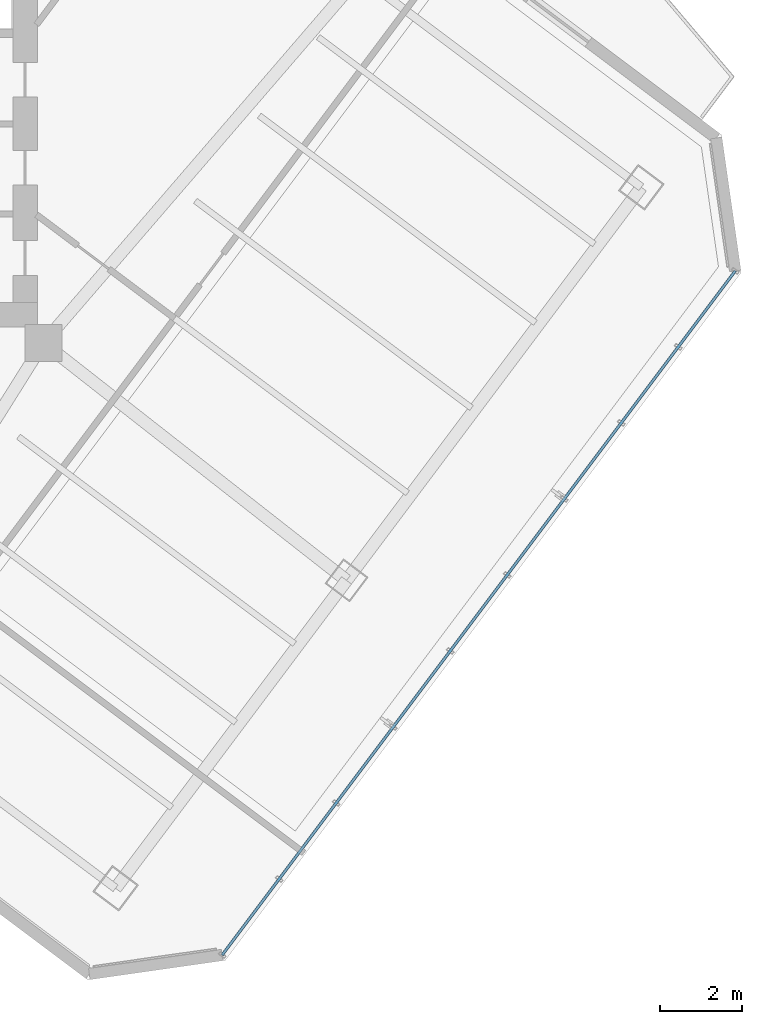
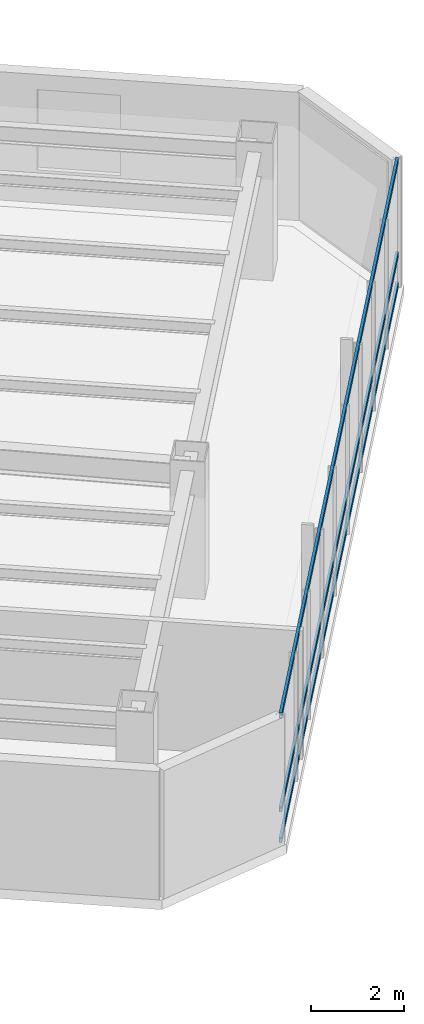
# One storey, part 12 of 28: 3 members, 1 element without a shape of its own.
"""IFC4 building model written with IfcOpenShell, lengths in metres."""

import ifcopenshell
import ifcopenshell.guid

model = None  # the IFC model being written
_history = None  # IfcOwnerHistory: only IFC2X3 demands one
_inside = {}  # id of a spatial element -> (the spatial element, [elements in it])
_under = {}  # id of a project, library or spatial element -> (it, [spatial elements below it])
_declared = {}  # id of a project -> (the project, [libraries it declares])
_typed = {}  # id of a type object -> (the type object, [elements of that type])
_made_of = {}  # id of a material, layer set ... -> (it, [elements and type objects made of it])


def new_model(schema):
    """Start an empty IFC model of exactly this schema.

    Asked for "IFC4X3", IfcOpenShell would pick the latest addendum, in which some entities
    have other attributes; the version numbers below select the first issue.
    IFC2X3 requires an IfcOwnerHistory on every rooted entity: one is made here for all.
    """
    global model, _history
    if schema == "IFC4X3":
        model = ifcopenshell.file(schema_version=(4, 3, 0, 0))
    else:
        model = ifcopenshell.file(schema=schema)
    _inside.clear()
    _under.clear()
    _declared.clear()
    _typed.clear()
    _made_of.clear()
    _history = None
    if model.schema == "IFC2X3":
        org = make("IfcOrganization", Name="unknown")
        user = make(
            "IfcPersonAndOrganization",
            ThePerson=make("IfcPerson", FamilyName="unknown"),
            TheOrganization=org,
        )
        app = make(
            "IfcApplication",
            ApplicationDeveloper=org,
            Version="unknown",
            ApplicationFullName="unknown",
            ApplicationIdentifier="unknown",
        )
        _history = make(
            "IfcOwnerHistory",
            OwningUser=user,
            OwningApplication=app,
            ChangeAction="ADDED",
            CreationDate=0,
        )
    return model


def make(cls, **values):
    """One entity of the class cls with the attributes given. An attribute that is None is left unset."""
    return model.create_entity(
        cls, **{name: value for name, value in values.items() if value is not None}
    )


def rooted(cls, **values):
    """An entity with a GlobalId (a new one), such as an element, a storey or a relation."""
    return make(cls, GlobalId=ifcopenshell.guid.new(), OwnerHistory=_history, **values)


def si_unit(unit_type, name, prefix=None):
    """IfcSIUnit, for example si_unit("LENGTHUNIT", "METRE", prefix="MILLI")."""
    return make("IfcSIUnit", UnitType=unit_type, Prefix=prefix, Name=name)


def assignment(units):
    """IfcUnitAssignment: the units of a project."""
    return None if units is None else make("IfcUnitAssignment", Units=units)


def point(xyz):
    """IfcCartesianPoint."""
    return None if xyz is None else make("IfcCartesianPoint", Coordinates=xyz)


def direction(xyz):
    """IfcDirection."""
    return None if xyz is None else make("IfcDirection", DirectionRatios=xyz)


def frame(location, z_axis=None, x_axis=None):
    """IfcAxis2Placement3D, a coordinate frame: its origin and axes. An axis left out is left unset."""
    return make(
        "IfcAxis2Placement3D",
        Location=point(location),
        Axis=direction(z_axis),
        RefDirection=direction(x_axis),
    )


def frame_2d(location, x_axis=None):
    """IfcAxis2Placement2D, a coordinate frame in the plane: its origin and x axis."""
    return make(
        "IfcAxis2Placement2D", Location=point(location), RefDirection=direction(x_axis)
    )


def origin():
    """The frame at (0, 0, 0) with its axes left unset."""
    return frame((0.0, 0.0, 0.0))


def origin_2d():
    """The frame at (0, 0) in the plane with its x axis left unset."""
    return frame_2d((0.0, 0.0))


def place(relative_to, where):
    """IfcLocalPlacement: puts the frame where relative to a parent placement (None: the world)."""
    return make(
        "IfcLocalPlacement", PlacementRelTo=relative_to, RelativePlacement=where
    )


def context(
    kind, dimensions, precision=None, world=None, true_north=None, identifier=None
):
    """IfcGeometricRepresentationContext, for example the 3D "Model" context."""
    return make(
        "IfcGeometricRepresentationContext",
        ContextIdentifier=identifier,
        ContextType=kind,
        CoordinateSpaceDimension=dimensions,
        Precision=precision,
        WorldCoordinateSystem=world,
        TrueNorth=true_north,
    )


def subcontext(parent, identifier, kind, view, scale=None):
    """IfcGeometricRepresentationSubContext, for example "Body" below "Model"."""
    return make(
        "IfcGeometricRepresentationSubContext",
        ContextIdentifier=identifier,
        ContextType=kind,
        ParentContext=parent,
        TargetScale=scale,
        TargetView=view,
    )


def project(units=None, contexts=None):
    """IfcProject with its units and contexts."""
    return rooted(
        "IfcProject",
        Name="project",
        RepresentationContexts=contexts,
        UnitsInContext=assignment(units),
    )


def spatial(cls, under=None, at=None, **own):
    """A site, building, storey or space (cls), placed at a placement, below another one or the project."""
    s = rooted(cls, ObjectPlacement=at, **own)
    if under is not None:
        _under.setdefault(under.id(), (under, []))[1].append(s)
    return s


def profile(cls, at=None, kind="AREA", **sizes):
    """A parametric profile (cls). Its sizes go by their IFC names, for example OverallWidth=200.0."""
    return make(cls, ProfileType=kind, Position=at, **sizes)


def hollow_rectangle(**sizes):
    """IfcRectangleHollowProfileDef."""
    return profile("IfcRectangleHollowProfileDef", **sizes)


def extrude(swept, where, along, depth):
    """IfcExtrudedAreaSolid: the profile swept, set in the frame where, extruded along a direction by depth."""
    return make(
        "IfcExtrudedAreaSolid",
        SweptArea=swept,
        Position=where,
        ExtrudedDirection=direction(along),
        Depth=depth,
    )


def shape(context_of_items, identifier, shape_type, items):
    """IfcShapeRepresentation: the items that make up one representation, for example the "Body"."""
    return make(
        "IfcShapeRepresentation",
        ContextOfItems=context_of_items,
        RepresentationIdentifier=identifier,
        RepresentationType=shape_type,
        Items=items,
    )


def material(Name=None, Category=None):
    """IfcMaterial."""
    return make("IfcMaterial", Name=Name, Category=Category)


def layer(
    of_material, thickness, ventilated=None, Name=None, Category=None, Priority=None
):
    """IfcMaterialLayer: one layer of a wall or slab, of a material (None: an air gap)."""
    return make(
        "IfcMaterialLayer",
        Material=of_material,
        LayerThickness=thickness,
        IsVentilated=ventilated,
        Name=Name,
        Category=Category,
        Priority=Priority,
    )


def layer_set(layers, Name=None):
    """IfcMaterialLayerSet."""
    return make("IfcMaterialLayerSet", MaterialLayers=layers, LayerSetName=Name)


def material_profile(
    of_material, cross_section, Name=None, Category=None, Priority=None
):
    """IfcMaterialProfile: a cross section and its material."""
    return make(
        "IfcMaterialProfile",
        Name=Name,
        Material=of_material,
        Profile=cross_section,
        Priority=Priority,
        Category=Category,
    )


def profile_set(profiles, Name=None, composite=None):
    """IfcMaterialProfileSet."""
    return make(
        "IfcMaterialProfileSet",
        Name=Name,
        MaterialProfiles=profiles,
        CompositeProfile=composite,
    )


def made_of(thing, what):
    """Note that an element or type object is made of a material, layer set ...; save() writes the relation."""
    if what is not None:
        _made_of.setdefault(what.id(), (what, []))[1].append(thing)
    return thing


def type_object(cls, material=None, **own):
    """A type object (cls), such as IfcWallType, which elements share."""
    return made_of(rooted(cls, **own), material)


def element(
    cls,
    number,
    at=None,
    inside=None,
    cuts=None,
    type_object=None,
    material=None,
    context=None,
    identifier="Body",
    shape_type=None,
    held_by="IfcProductDefinitionShape",
    body=None,
    shapes=None,
    **own,
):
    """One element of the class cls, such as IfcWall. Its Tag is "e" and its number.

    at: its placement. inside: the storey or other place that contains it. cuts: it is an
    opening in that element (IfcRelVoidsElement). A single representation is given by context,
    identifier, shape_type and body (its items); several are given by shapes. held_by: the class
    of the entity that holds the representations. save() writes the other relations.
    """
    e = rooted(cls, Tag="e%d" % number, ObjectPlacement=at, **own)
    if body is not None:
        shapes = [shape(context, identifier, shape_type, body)]
    if shapes is not None:
        e.Representation = make(held_by, Representations=shapes)
    if inside is not None:
        _inside.setdefault(inside.id(), (inside, []))[1].append(e)
    if cuts is not None:
        rooted(
            "IfcRelVoidsElement", RelatingBuildingElement=cuts, RelatedOpeningElement=e
        )
    if type_object is not None:
        _typed.setdefault(type_object.id(), (type_object, []))[1].append(e)
    return made_of(e, material)


def aggregate(whole, parts):
    """IfcRelAggregates: a whole, such as a stair, and the parts it consists of."""
    return rooted("IfcRelAggregates", RelatingObject=whole, RelatedObjects=parts)


def save(model, path):
    """Write the relations noted so far, then the file.

    IfcRelAggregates (storeys below a building ...), IfcRelContainedInSpatialStructure (elements
    in a storey), IfcRelDefinesByType, IfcRelAssociatesMaterial and IfcRelDeclares: one each for
    every whole, place, type object, material and project.
    """
    for whole, parts in _under.values():
        aggregate(whole, parts)
    for where, things in _inside.values():
        rooted(
            "IfcRelContainedInSpatialStructure",
            RelatedElements=things,
            RelatingStructure=where,
        )
    for kind, things in _typed.values():
        rooted("IfcRelDefinesByType", RelatedObjects=things, RelatingType=kind)
    for what, things in _made_of.values():
        rooted("IfcRelAssociatesMaterial", RelatedObjects=things, RelatingMaterial=what)
    for by, libraries in _declared.values():
        rooted("IfcRelDeclares", RelatingContext=by, RelatedDefinitions=libraries)
    model.write(path)


model = new_model("IFC4")

# Units and contexts
model_context = context("Model", 3, precision=1e-05, world=origin(), true_north=direction((0.0, 1.0)))
body_context = subcontext(model_context, "Body", "Model", "MODEL_VIEW")
ifc_project = project(units=[si_unit("LENGTHUNIT", "METRE"), si_unit("AREAUNIT", "SQUARE_METRE"), si_unit("VOLUMEUNIT", "CUBIC_METRE"), si_unit("PLANEANGLEUNIT", "RADIAN"), si_unit("MASSUNIT", "GRAM", prefix="KILO")], contexts=[model_context])

# Site, building, storey
site_placement = place(None, origin())
site = spatial("IfcSite", under=ifc_project, at=site_placement, CompositionType="ELEMENT")
building_placement = place(site_placement, origin())
building = spatial("IfcBuilding", under=site, at=building_placement, Name="Hatsunagi Terrace Concourse", CompositionType="ELEMENT")
storey_placement = place(building_placement, frame((0.0, 0.0, 170.85009765625)))
storey = spatial("IfcBuildingStorey", under=building, at=storey_placement, Name="L45", CompositionType="ELEMENT", Elevation=170.85009765625)

# Curtain wall, members
ifc_material_1 = material(Name="Anodised Aluminium Alloy 6063-T5", Category="aluminium")
ifc_layer = layer(ifc_material_1, 0.199951171875)
ifc_layer_set = layer_set([ifc_layer], Name="OfficeZone1_CW03")
curtain_wall_type = type_object("IfcCurtainWallType", Name="OfficeZone1_CW03", PredefinedType="NOTDEFINED", material=ifc_layer_set)
curtain_wall_placement = place(storey_placement, origin())
curtain_wall = element("IfcCurtainWall", 1, at=curtain_wall_placement, inside=storey, type_object=curtain_wall_type, Name="Unitised Curtain Wall CW-03 CW-L45-03", PredefinedType="NOTDEFINED")
ifc_material_2 = material(Name="Anodised Aluminium Alloy 6063-T5", Category="aluminium")
ifc_material_profile = material_profile(ifc_material_2, hollow_rectangle(XDim=0.06494140625, YDim=0.139892578125, WallThickness=0.00390625, at=origin_2d()), Name="ALU-TRN-140x65x4")
ifc_profile_set = profile_set([ifc_material_profile], Name="Anodised Aluminium Alloy 6063-T5")
member_type = type_object("IfcMemberType", Name="CurtainWallTransom_140x65", PredefinedType="USERDEFINED", material=ifc_profile_set)
member_1_placement = place(storey_placement, frame((60.693115234375, 25.9580078125, 0.0498046875), z_axis=(-0.599970072971, -0.800022444397, 0.0), x_axis=(0.800022444397, -0.599970072971, 0.0)))
member_1 = element("IfcMember", 2, at=member_1_placement, type_object=member_type, Name="Curtain Wall Transom TRN-02", ObjectType="TRANSOM", PredefinedType="USERDEFINED", context=body_context, shape_type="SweptSolid", body=[
    extrude(hollow_rectangle(XDim=0.06494140625, YDim=0.139892578125, WallThickness=0.00390625, at=origin_2d()), origin(), (0.0, 0.0, 1.0), 20.884521484375),
])
member_2_placement = place(storey_placement, frame((60.693115234375, 25.9580078125, 0.849853515625), z_axis=(-0.599970072971, -0.800022444397, 0.0), x_axis=(0.800022444397, -0.599970072971, 0.0)))
member_2 = element("IfcMember", 3, at=member_2_placement, type_object=member_type, Name="Curtain Wall Transom TRN-02", ObjectType="TRANSOM", PredefinedType="USERDEFINED", context=body_context, shape_type="SweptSolid", body=[
    extrude(hollow_rectangle(XDim=0.06494140625, YDim=0.139892578125, WallThickness=0.00390625, at=origin_2d()), origin(), (0.0, 0.0, 1.0), 20.884521484375),
])
member_3_placement = place(storey_placement, frame((60.693115234375, 25.9580078125, 3.2998046875), z_axis=(-0.599970072971, -0.800022444397, 0.0), x_axis=(0.800022444397, -0.599970072971, 0.0)))
member_3 = element("IfcMember", 4, at=member_3_placement, type_object=member_type, Name="Curtain Wall Transom TRN-02", ObjectType="TRANSOM", PredefinedType="USERDEFINED", context=body_context, shape_type="SweptSolid", body=[
    extrude(hollow_rectangle(XDim=0.06494140625, YDim=0.139892578125, WallThickness=0.00390625, at=origin_2d()), origin(), (0.0, 0.0, 1.0), 20.884521484375),
])
aggregate(curtain_wall, [member_1, member_2, member_3])

save(model, "model.ifc")
